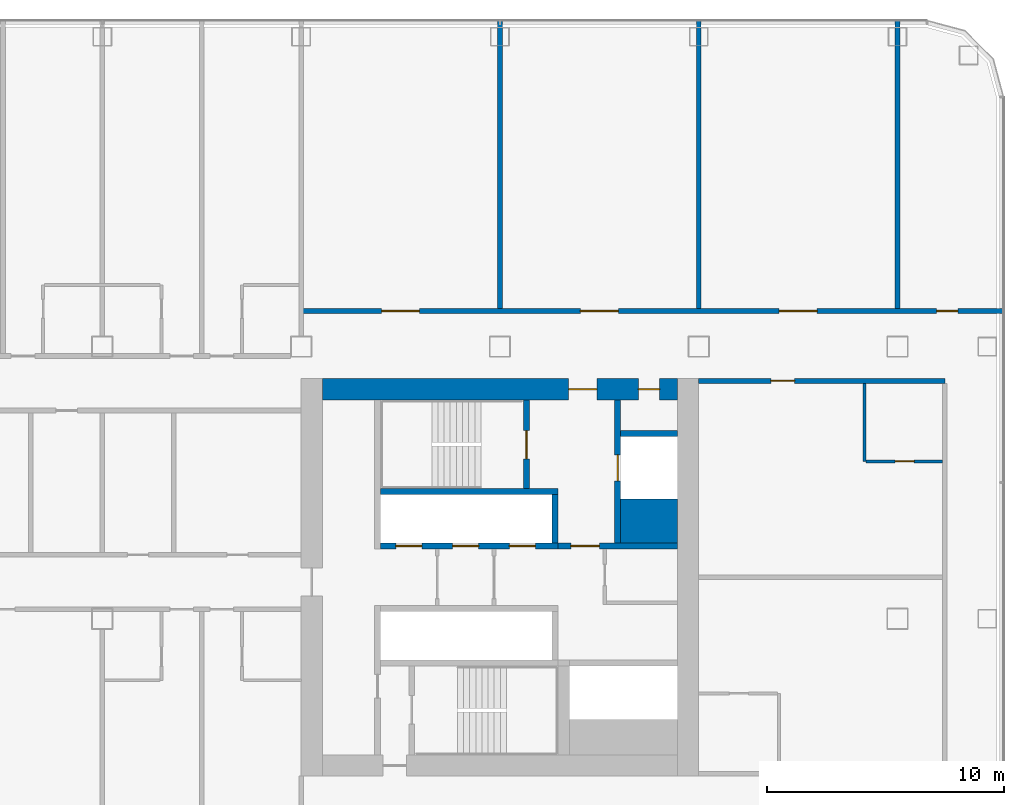
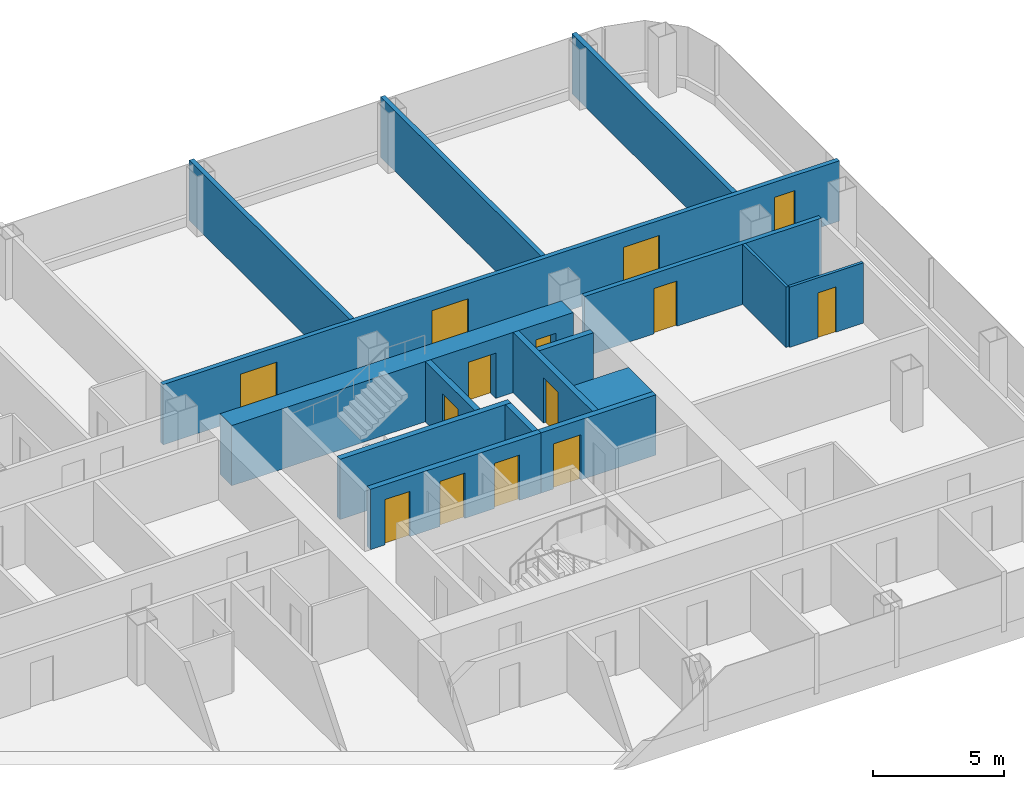
# One storey, part 20 of 29: 16 walls, 14 doors, 14 openings.
"""IFC4 building model written with IfcOpenShell, lengths in metres."""

from ifc_helpers import new_model, si_unit, direction, frame, frame_2d, origin, place, context, subcontext, project, spatial, rectangle, extrude, material, layer, layer_set, type_object, element, fill, save


model = new_model("IFC4")

# Units and contexts
model_context = context("Model", 3, precision=1e-05, world=origin(), true_north=direction((0.0, 1.0)))
body_context = subcontext(model_context, "Body", "Model", "MODEL_VIEW")
ifc_project = project(units=[si_unit("LENGTHUNIT", "METRE"), si_unit("AREAUNIT", "SQUARE_METRE"), si_unit("VOLUMEUNIT", "CUBIC_METRE"), si_unit("PLANEANGLEUNIT", "RADIAN"), si_unit("MASSUNIT", "GRAM", prefix="KILO")], contexts=[model_context])

# Site, building, storey
site_placement = place(None, origin())
site = spatial("IfcSite", under=ifc_project, at=site_placement, CompositionType="ELEMENT")
building_placement = place(site_placement, origin())
building = spatial("IfcBuilding", under=site, at=building_placement, Name="Hakoniwa Tower and Hamabe Station Hall", CompositionType="ELEMENT")
storey_placement = place(building_placement, frame((0.0, 0.0, 78.60009765625)))
storey = spatial("IfcBuildingStorey", under=building, at=storey_placement, Name="L21", CompositionType="ELEMENT", Elevation=78.60009765625)

# Wall, opening, door
ifc_material_1 = material(Name="Gypsum board partition", Category="gypsum")
ifc_layer_1 = layer(ifc_material_1, 0.125)
ifc_layer_set_1 = layer_set([ifc_layer_1], Name="Bathroom Partition 125")
wall_type_1 = type_object("IfcWallType", Name="Bathroom Partition 125", PredefinedType="PARTITIONING", material=ifc_layer_set_1)
wall_1_placement = place(storey_placement, frame((40.66259765625, 4.89990234375, 0.0), z_axis=(0.0, 0.0, 1.0), x_axis=(1.0, 0.0, 0.0)))
wall_1 = element("IfcWall", 1, at=wall_1_placement, inside=storey, type_object=wall_type_1, Name="GW-L21-017", PredefinedType="PARTITIONING", context=body_context, shape_type="SweptSolid", body=[
    extrude(rectangle(XDim=3.2373046875, YDim=0.125, at=frame_2d((1.61865234375, 0.0))), origin(), (0.0, 0.0, 1.0), 2.7998046875),
])
opening_1_placement = place(wall_1_placement, frame((1.237548828125, 0.0, 0.0)))
opening_1 = element("IfcOpeningElement", 2, at=opening_1_placement, cuts=wall_1, Name="Opening GD-G2B0-29", PredefinedType="OPENING", context=body_context, shape_type="SweptSolid", body=[
    extrude(rectangle(XDim=0.800048828125, YDim=2.10009765625, at=frame_2d((0.39990234375, 1.050048828125))), frame((0.0, 0.072509765625, 0.0), z_axis=(0.0, -1.0, 0.0), x_axis=(1.0, 0.0, 0.0)), (0.0, 0.0, 1.0), 0.14501953125),
])
ifc_material_2 = material(Name="Timber door leaf", Category="wood")
door_type_1 = type_object("IfcDoorType", Name="Bathroom Door 800", OperationType="SINGLE_SWING_LEFT", PredefinedType="DOOR", material=ifc_material_2)
door_1_placement = place(opening_1_placement, origin())
door_1 = element("IfcDoor", 3, at=door_1_placement, inside=storey, type_object=door_type_1, Name="Door GD-G2B0-29", OperationType="SINGLE_SWING_LEFT", OverallHeight=2.10009765625, OverallWidth=0.800048828125, PredefinedType="DOOR", context=body_context, shape_type="SweptSolid", body=[
    extrude(rectangle(XDim=0.800048828125, YDim=2.10009765625, at=frame_2d((0.39990234375, 1.050048828125))), frame((0.0, 0.02490234375, 0.0), z_axis=(0.0, -1.0, 0.0), x_axis=(1.0, 0.0, 0.0)), (0.0, 0.0, 1.0), 0.050048828125),
])
fill(opening_1, door_1)

# Wall
wall_2_placement = place(storey_placement, frame((40.60009765625, 4.89990234375, 0.0), z_axis=(0.0, 0.0, 1.0), x_axis=(0.0, 1.0, 0.0)))
element("IfcWall", 4, at=wall_2_placement, inside=storey, type_object=wall_type_1, Name="GW-L21-087", PredefinedType="PARTITIONING", context=body_context, shape_type="SweptSolid", body=[
    extrude(rectangle(XDim=3.300048828125, YDim=0.125, at=frame_2d((1.64990234375, 0.0))), origin(), (0.0, 0.0, 1.0), 2.7998046875),
])

# Wall, openings, doors
ifc_material_3 = material(Name="Concrete C72", Category="concrete")
ifc_layer_2 = layer(ifc_material_3, 0.89990234375)
ifc_layer_set_2 = layer_set([ifc_layer_2], Name="CORE WALL 900 C72")
wall_type_2 = type_object("IfcWallType", Name="CORE WALL 900 C72", PredefinedType="SHEAR", material=ifc_layer_set_2)
wall_3_placement = place(storey_placement, frame((17.699951171875, 7.949951171875, 0.0), z_axis=(0.0, 0.0, 1.0), x_axis=(1.0, 0.0, 0.0)))
wall_3 = element("IfcWall", 5, at=wall_3_placement, inside=storey, type_object=wall_type_2, Name="Core wall NORTH east", PredefinedType="SHEAR", context=body_context, shape_type="SweptSolid", body=[
    extrude(rectangle(XDim=15.0, YDim=0.89990234375, at=frame_2d((7.5, 0.0))), origin(), (0.0, 0.0, 1.0), 2.7998046875),
])
opening_2_placement = place(wall_3_placement, frame((10.39990234375, 0.0, 0.0)))
opening_2 = element("IfcOpeningElement", 6, at=opening_2_placement, cuts=wall_3, Name="Opening CD-E-FN1-12", PredefinedType="OPENING", context=body_context, shape_type="SweptSolid", body=[
    extrude(rectangle(XDim=1.199951171875, YDim=2.10009765625, at=frame_2d((0.60009765625, 1.050048828125))), frame((0.0, 0.4599609375, 0.0), z_axis=(0.0, -1.0, 0.0), x_axis=(1.0, 0.0, 0.0)), (0.0, 0.0, 1.0), 0.919921875),
])
opening_3_placement = place(wall_3_placement, frame((13.35009765625, 0.0, 0.0)))
opening_3 = element("IfcOpeningElement", 7, at=opening_3_placement, cuts=wall_3, Name="Opening CD-E-FN2-9", PredefinedType="OPENING", context=body_context, shape_type="SweptSolid", body=[
    extrude(rectangle(XDim=0.89990234375, YDim=2.10009765625, at=frame_2d((0.449951171875, 1.050048828125))), frame((0.0, 0.4599609375, 0.0), z_axis=(0.0, -1.0, 0.0), x_axis=(1.0, 0.0, 0.0)), (0.0, 0.0, 1.0), 0.919921875),
])
ifc_material_4 = material(Name="Steel fire door", Category="steel")
door_type_2 = type_object("IfcDoorType", Name="CORE DOOR 1200 FD60", OperationType="DOUBLE_DOOR_SINGLE_SWING", PredefinedType="DOOR", material=ifc_material_4)
door_2_placement = place(opening_2_placement, origin())
door_2 = element("IfcDoor", 8, at=door_2_placement, inside=storey, type_object=door_type_2, Name="Stair vestibule door to the fire-fighting lobby", OperationType="DOUBLE_DOOR_SINGLE_SWING", OverallHeight=2.10009765625, OverallWidth=1.199951171875, PredefinedType="DOOR", context=body_context, shape_type="SweptSolid", body=[
    extrude(rectangle(XDim=1.199951171875, YDim=2.10009765625, at=frame_2d((0.60009765625, 1.050048828125))), frame((0.0, 0.02490234375, 0.0), z_axis=(0.0, -1.0, 0.0), x_axis=(1.0, 0.0, 0.0)), (0.0, 0.0, 1.0), 0.050048828125),
])
fill(opening_2, door_2)
ifc_material_5 = material(Name="Steel fire door", Category="steel")
door_type_3 = type_object("IfcDoorType", Name="CORE DOOR 900 FD30", OperationType="NOTDEFINED", PredefinedType="DOOR", material=ifc_material_5)
door_3_placement = place(opening_3_placement, origin())
door_3 = element("IfcDoor", 9, at=door_3_placement, inside=storey, type_object=door_type_3, Name="Riser access door", OperationType="SINGLE_SWING_RIGHT", OverallHeight=2.10009765625, OverallWidth=0.89990234375, PredefinedType="DOOR", context=body_context, shape_type="SweptSolid", body=[
    extrude(rectangle(XDim=0.89990234375, YDim=2.10009765625, at=frame_2d((0.449951171875, 1.050048828125))), frame((0.0, 0.02490234375, 0.0), z_axis=(0.0, -1.0, 0.0), x_axis=(1.0, 0.0, 0.0)), (0.0, 0.0, 1.0), 0.050048828125),
])
fill(opening_3, door_3)

# Wall
ifc_material_6 = material(Name="Concrete C72", Category="concrete")
ifc_layer_3 = layer(ifc_material_6, 1.85009765625)
ifc_layer_set_3 = layer_set([ifc_layer_3], Name="CORE WEB WALL 1850 C72")
wall_type_3 = type_object("IfcWallType", Name="CORE WEB WALL 1850 C72", PredefinedType="SHEAR", material=ifc_layer_set_3)
wall_4_placement = place(storey_placement, frame((30.300048828125, 2.375, 0.0), z_axis=(0.0, 0.0, 1.0), x_axis=(1.0, 0.0, 0.0)))
element("IfcWall", 10, at=wall_4_placement, inside=storey, type_object=wall_type_3, Name="Core wall CA east", PredefinedType="SHEAR", context=body_context, shape_type="SweptSolid", body=[
    extrude(rectangle(XDim=2.39990234375, YDim=1.85009765625, at=frame_2d((1.199951171875, 0.0))), origin(), (0.0, 0.0, 1.0), 2.7998046875),
])

# Wall, openings, doors
ifc_material_7 = material(Name="Concrete C72", Category="concrete")
ifc_layer_4 = layer(ifc_material_7, 0.25)
ifc_layer_set_4 = layer_set([ifc_layer_4], Name="CORE WEB WALL 250 C72")
wall_type_4 = type_object("IfcWallType", Name="CORE WEB WALL 250 C72", PredefinedType="SHEAR", material=ifc_layer_set_4)
wall_5_placement = place(storey_placement, frame((20.14990234375, 1.324951171875, 0.0), z_axis=(0.0, 0.0, 1.0), x_axis=(1.0, 0.0, 0.0)))
wall_5 = element("IfcWall", 11, at=wall_5_placement, inside=storey, type_object=wall_type_4, Name="Core wall NF east", PredefinedType="SHEAR", context=body_context, shape_type="SweptSolid", body=[
    extrude(rectangle(XDim=7.5, YDim=0.25, at=frame_2d((3.75, 0.0))), origin(), (0.0, 0.0, 1.0), 2.7998046875),
])
opening_4_placement = place(wall_5_placement, frame((0.64990234375, 0.0, 0.0)))
opening_4 = element("IfcOpeningElement", 12, at=opening_4_placement, cuts=wall_5, Name="Opening LD-LR4", PredefinedType="OPENING", context=body_context, shape_type="SweptSolid", body=[
    extrude(rectangle(XDim=1.10009765625, YDim=2.10009765625, at=frame_2d((0.550048828125, 1.050048828125))), frame((0.0, 0.135009765625, 0.0), z_axis=(0.0, -1.0, 0.0), x_axis=(1.0, 0.0, 0.0)), (0.0, 0.0, 1.0), 0.27001953125),
])
opening_5_placement = place(wall_5_placement, frame((3.050048828125, 0.0, 0.0)))
opening_5 = element("IfcOpeningElement", 13, at=opening_5_placement, cuts=wall_5, Name="Opening LD-LR5", PredefinedType="OPENING", context=body_context, shape_type="SweptSolid", body=[
    extrude(rectangle(XDim=1.10009765625, YDim=2.10009765625, at=frame_2d((0.550048828125, 1.050048828125))), frame((0.0, 0.135009765625, 0.0), z_axis=(0.0, -1.0, 0.0), x_axis=(1.0, 0.0, 0.0)), (0.0, 0.0, 1.0), 0.27001953125),
])
opening_6_placement = place(wall_5_placement, frame((5.449951171875, 0.0, 0.0)))
opening_6 = element("IfcOpeningElement", 14, at=opening_6_placement, cuts=wall_5, Name="Opening LD-LR6", PredefinedType="OPENING", context=body_context, shape_type="SweptSolid", body=[
    extrude(rectangle(XDim=1.10009765625, YDim=2.10009765625, at=frame_2d((0.550048828125, 1.050048828125))), frame((0.0, 0.135009765625, 0.0), z_axis=(0.0, -1.0, 0.0), x_axis=(1.0, 0.0, 0.0)), (0.0, 0.0, 1.0), 0.27001953125),
])
ifc_material_8 = material(Name="Stainless steel SUS304", Category="steel")
door_type_4 = type_object("IfcDoorType", Name="LIFT LANDING DOOR 1100 FD60", OperationType="DOUBLE_DOOR_SLIDING", PredefinedType="DOOR", material=ifc_material_8)
door_4_placement = place(opening_4_placement, origin())
door_4 = element("IfcDoor", 15, at=door_4_placement, inside=storey, type_object=door_type_4, Name="Lift landing door LR4 L21", OperationType="DOUBLE_DOOR_SLIDING", OverallHeight=2.10009765625, OverallWidth=1.10009765625, PredefinedType="DOOR", context=body_context, shape_type="SweptSolid", body=[
    extrude(rectangle(XDim=1.10009765625, YDim=2.10009765625, at=frame_2d((0.550048828125, 1.050048828125))), frame((0.0, 0.02490234375, 0.0), z_axis=(0.0, -1.0, 0.0), x_axis=(1.0, 0.0, 0.0)), (0.0, 0.0, 1.0), 0.050048828125),
])
fill(opening_4, door_4)
door_5_placement = place(opening_5_placement, origin())
door_5 = element("IfcDoor", 16, at=door_5_placement, inside=storey, type_object=door_type_4, Name="Lift landing door LR5 L21", OperationType="DOUBLE_DOOR_SLIDING", OverallHeight=2.10009765625, OverallWidth=1.10009765625, PredefinedType="DOOR", context=body_context, shape_type="SweptSolid", body=[
    extrude(rectangle(XDim=1.10009765625, YDim=2.10009765625, at=frame_2d((0.550048828125, 1.050048828125))), frame((0.0, 0.02490234375, 0.0), z_axis=(0.0, -1.0, 0.0), x_axis=(1.0, 0.0, 0.0)), (0.0, 0.0, 1.0), 0.050048828125),
])
fill(opening_5, door_5)
door_6_placement = place(opening_6_placement, origin())
door_6 = element("IfcDoor", 17, at=door_6_placement, inside=storey, type_object=door_type_4, Name="Lift landing door LR6 L21", OperationType="DOUBLE_DOOR_SLIDING", OverallHeight=2.10009765625, OverallWidth=1.10009765625, PredefinedType="DOOR", context=body_context, shape_type="SweptSolid", body=[
    extrude(rectangle(XDim=1.10009765625, YDim=2.10009765625, at=frame_2d((0.550048828125, 1.050048828125))), frame((0.0, 0.02490234375, 0.0), z_axis=(0.0, -1.0, 0.0), x_axis=(1.0, 0.0, 0.0)), (0.0, 0.0, 1.0), 0.050048828125),
])
fill(opening_6, door_6)

# Walls
wall_6_placement = place(storey_placement, frame((27.52490234375, 1.449951171875, 0.0), z_axis=(0.0, 0.0, 1.0), x_axis=(0.0, 1.0, 0.0)))
element("IfcWall", 18, at=wall_6_placement, inside=storey, type_object=wall_type_4, Name="Core wall NE east", PredefinedType="SHEAR", context=body_context, shape_type="SweptSolid", body=[
    extrude(rectangle(XDim=2.050048828125, YDim=0.25, at=frame_2d((1.02490234375, 0.0))), origin(), (0.0, 0.0, 1.0), 2.7998046875),
])
wall_7_placement = place(storey_placement, frame((20.14990234375, 3.625, 0.0), z_axis=(0.0, 0.0, 1.0), x_axis=(1.0, 0.0, 0.0)))
element("IfcWall", 19, at=wall_7_placement, inside=storey, type_object=wall_type_4, Name="Core wall NR east", PredefinedType="SHEAR", context=body_context, shape_type="SweptSolid", body=[
    extrude(rectangle(XDim=7.5, YDim=0.25, at=frame_2d((3.75, 0.0))), origin(), (0.0, 0.0, 1.0), 2.7998046875),
])

# Wall, opening, door
wall_8_placement = place(storey_placement, frame((26.324951171875, 3.75, 0.0), z_axis=(0.0, 0.0, 1.0), x_axis=(0.0, 1.0, 0.0)))
wall_8 = element("IfcWall", 20, at=wall_8_placement, inside=storey, type_object=wall_type_4, Name="Core wall NSE east", PredefinedType="SHEAR", context=body_context, shape_type="SweptSolid", body=[
    extrude(rectangle(XDim=3.75, YDim=0.25, at=frame_2d((1.875, 0.0))), origin(), (0.0, 0.0, 1.0), 2.7998046875),
])
opening_7_placement = place(wall_8_placement, frame((1.25, 0.0, 0.0)))
opening_7 = element("IfcOpeningElement", 21, at=opening_7_placement, cuts=wall_8, Name="Opening CD-E-SN-12", PredefinedType="OPENING", context=body_context, shape_type="SweptSolid", body=[
    extrude(rectangle(XDim=1.199951171875, YDim=2.10009765625, at=frame_2d((0.60009765625, 1.050048828125))), frame((0.0, 0.135009765625, 0.0), z_axis=(0.0, -1.0, 0.0), x_axis=(1.0, 0.0, 0.0)), (0.0, 0.0, 1.0), 0.27001953125),
])
door_7_placement = place(opening_7_placement, origin())
door_7 = element("IfcDoor", 22, at=door_7_placement, inside=storey, type_object=door_type_2, Name="Escape stair door", OperationType="DOUBLE_DOOR_SINGLE_SWING", OverallHeight=2.10009765625, OverallWidth=1.199951171875, PredefinedType="DOOR", context=body_context, shape_type="SweptSolid", body=[
    extrude(rectangle(XDim=1.199951171875, YDim=2.10009765625, at=frame_2d((0.60009765625, 1.050048828125))), frame((0.0, 0.02490234375, 0.0), z_axis=(0.0, -1.0, 0.0), x_axis=(1.0, 0.0, 0.0)), (0.0, 0.0, 1.0), 0.050048828125),
])
fill(opening_7, door_7)

wall_9_placement = place(storey_placement, frame((27.64990234375, 1.324951171875, 0.0), z_axis=(0.0, 0.0, 1.0), x_axis=(1.0, 0.0, 0.0)))
wall_9 = element("IfcWall", 23, at=wall_9_placement, inside=storey, type_object=wall_type_4, Name="Core wall ELN east", PredefinedType="SHEAR", context=body_context, shape_type="SweptSolid", body=[
    extrude(rectangle(XDim=5.050048828125, YDim=0.25, at=frame_2d((2.52490234375, 0.0))), origin(), (0.0, 0.0, 1.0), 2.7998046875),
])
opening_8_placement = place(wall_9_placement, frame((0.550048828125, 0.0, 0.0)))
opening_8 = element("IfcOpeningElement", 24, at=opening_8_placement, cuts=wall_9, Name="Opening CD-E-FL-12", PredefinedType="OPENING", context=body_context, shape_type="SweptSolid", body=[
    extrude(rectangle(XDim=1.199951171875, YDim=2.10009765625, at=frame_2d((0.60009765625, 1.050048828125))), frame((0.0, 0.135009765625, 0.0), z_axis=(0.0, -1.0, 0.0), x_axis=(1.0, 0.0, 0.0)), (0.0, 0.0, 1.0), 0.27001953125),
])
door_8_placement = place(opening_8_placement, origin())
door_8 = element("IfcDoor", 25, at=door_8_placement, inside=storey, type_object=door_type_2, Name="Stair vestibule door to the fire-fighting lobby", OperationType="DOUBLE_DOOR_SINGLE_SWING", OverallHeight=2.10009765625, OverallWidth=1.199951171875, PredefinedType="DOOR", context=body_context, shape_type="SweptSolid", body=[
    extrude(rectangle(XDim=1.199951171875, YDim=2.10009765625, at=frame_2d((0.60009765625, 1.050048828125))), frame((0.0, 0.02490234375, 0.0), z_axis=(0.0, -1.0, 0.0), x_axis=(1.0, 0.0, 0.0)), (0.0, 0.0, 1.0), 0.050048828125),
])
fill(opening_8, door_8)

wall_10_placement = place(storey_placement, frame((30.175048828125, 1.449951171875, 0.0), z_axis=(0.0, 0.0, 1.0), x_axis=(0.0, 1.0, 0.0)))
wall_10 = element("IfcWall", 26, at=wall_10_placement, inside=storey, type_object=wall_type_4, Name="Core wall FFF east", PredefinedType="SHEAR", context=body_context, shape_type="SweptSolid", body=[
    extrude(rectangle(XDim=6.050048828125, YDim=0.25, at=frame_2d((3.02490234375, 0.0))), origin(), (0.0, 0.0, 1.0), 2.7998046875),
])
opening_9_placement = place(wall_10_placement, frame((2.625, 0.0, 0.0)))
opening_9 = element("IfcOpeningElement", 27, at=opening_9_placement, cuts=wall_10, Name="Opening LD-FF2", PredefinedType="OPENING", context=body_context, shape_type="SweptSolid", body=[
    extrude(rectangle(XDim=1.10009765625, YDim=2.10009765625, at=frame_2d((0.550048828125, 1.050048828125))), frame((0.0, 0.135009765625, 0.0), z_axis=(0.0, -1.0, 0.0), x_axis=(1.0, 0.0, 0.0)), (0.0, 0.0, 1.0), 0.27001953125),
])
door_9_placement = place(opening_9_placement, origin())
door_9 = element("IfcDoor", 28, at=door_9_placement, inside=storey, type_object=door_type_4, Name="Lift landing door FF2 L21", OperationType="DOUBLE_DOOR_SLIDING", OverallHeight=2.10009765625, OverallWidth=1.10009765625, PredefinedType="DOOR", context=body_context, shape_type="SweptSolid", body=[
    extrude(rectangle(XDim=1.10009765625, YDim=2.10009765625, at=frame_2d((0.550048828125, 1.050048828125))), frame((0.0, 0.02490234375, 0.0), z_axis=(0.0, -1.0, 0.0), x_axis=(1.0, 0.0, 0.0)), (0.0, 0.0, 1.0), 0.050048828125),
])
fill(opening_9, door_9)

# Wall
wall_11_placement = place(storey_placement, frame((30.300048828125, 6.074951171875, 0.0), z_axis=(0.0, 0.0, 1.0), x_axis=(1.0, 0.0, 0.0)))
element("IfcWall", 29, at=wall_11_placement, inside=storey, type_object=wall_type_4, Name="Core wall C2 east", PredefinedType="SHEAR", context=body_context, shape_type="SweptSolid", body=[
    extrude(rectangle(XDim=2.39990234375, YDim=0.25, at=frame_2d((1.199951171875, 0.0))), origin(), (0.0, 0.0, 1.0), 2.7998046875),
])

# Wall, opening, door
ifc_material_9 = material(Name="Fire-rated gypsum board partition", Category="gypsum")
ifc_layer_5 = layer(ifc_material_9, 0.199951171875)
ifc_layer_set_5 = layer_set([ifc_layer_5], Name="Corridor Wall 200")
wall_type_5 = type_object("IfcWallType", Name="Corridor Wall 200", PredefinedType="PARTITIONING", material=ifc_layer_set_5)
wall_12_placement = place(storey_placement, frame((33.60009765625, 8.300048828125, 0.0), z_axis=(0.0, 0.0, 1.0), x_axis=(1.0, 0.0, 0.0)))
wall_12 = element("IfcWall", 30, at=wall_12_placement, inside=storey, type_object=wall_type_5, Name="GW-L21-020", PredefinedType="PARTITIONING", context=body_context, shape_type="SweptSolid", body=[
    extrude(rectangle(XDim=10.39990234375, YDim=0.199951171875, at=frame_2d((5.199951171875, 0.0))), origin(), (0.0, 0.0, 1.0), 2.7998046875),
])
opening_10_placement = place(wall_12_placement, frame((3.050048828125, 0.0, 0.0)))
opening_10 = element("IfcOpeningElement", 31, at=opening_10_placement, cuts=wall_12, Name="Opening GD-G2B0-35", PredefinedType="OPENING", context=body_context, shape_type="SweptSolid", body=[
    extrude(rectangle(XDim=1.0, YDim=2.10009765625, at=frame_2d((0.5, 1.050048828125))), frame((0.0, 0.10986328125, 0.0), z_axis=(0.0, -1.0, 0.0), x_axis=(1.0, 0.0, 0.0)), (0.0, 0.0, 1.0), 0.219970703125),
])
ifc_material_10 = material(Name="Timber door leaf", Category="wood")
door_type_5 = type_object("IfcDoorType", Name="Guest Entrance Door 1000", OperationType="SINGLE_SWING_LEFT", PredefinedType="DOOR", material=ifc_material_10)
door_10_placement = place(opening_10_placement, origin())
door_10 = element("IfcDoor", 32, at=door_10_placement, inside=storey, type_object=door_type_5, Name="Door GD-G2B0-35", OperationType="SINGLE_SWING_LEFT", OverallHeight=2.10009765625, OverallWidth=1.0, PredefinedType="DOOR", context=body_context, shape_type="SweptSolid", body=[
    extrude(rectangle(XDim=1.0, YDim=2.10009765625, at=frame_2d((0.5, 1.050048828125))), frame((0.0, 0.02490234375, 0.0), z_axis=(0.0, -1.0, 0.0), x_axis=(1.0, 0.0, 0.0)), (0.0, 0.0, 1.0), 0.050048828125),
])
fill(opening_10, door_10)

# Wall, openings, doors
wall_13_placement = place(storey_placement, frame((16.800048828125, 11.25, 0.0), z_axis=(0.0, 0.0, 1.0), x_axis=(1.0, 0.0, 0.0)))
wall_13 = element("IfcWall", 33, at=wall_13_placement, inside=storey, type_object=wall_type_5, Name="GW-L21-023", PredefinedType="PARTITIONING", context=body_context, shape_type="SweptSolid", body=[
    extrude(rectangle(XDim=29.699951171875, YDim=0.199951171875, at=frame_2d((14.85009765625, 0.0))), origin(), (0.0, 0.0, 1.0), 2.7998046875),
])
opening_11_placement = place(wall_13_placement, frame((3.39990234375, 0.0, 0.0)))
opening_11 = element("IfcOpeningElement", 34, at=opening_11_placement, cuts=wall_13, Name="Opening GD-G2B0-49", PredefinedType="OPENING", context=body_context, shape_type="SweptSolid", body=[
    extrude(rectangle(XDim=1.60009765625, YDim=2.10009765625, at=frame_2d((0.800048828125, 1.050048828125))), frame((0.0, 0.10986328125, 0.0), z_axis=(0.0, -1.0, 0.0), x_axis=(1.0, 0.0, 0.0)), (0.0, 0.0, 1.0), 0.219970703125),
])
opening_12_placement = place(wall_13_placement, frame((11.800048828125, 0.0, 0.0)))
opening_12 = element("IfcOpeningElement", 35, at=opening_12_placement, cuts=wall_13, Name="Opening GD-G2B0-50", PredefinedType="OPENING", context=body_context, shape_type="SweptSolid", body=[
    extrude(rectangle(XDim=1.60009765625, YDim=2.10009765625, at=frame_2d((0.800048828125, 1.050048828125))), frame((0.0, 0.10986328125, 0.0), z_axis=(0.0, -1.0, 0.0), x_axis=(1.0, 0.0, 0.0)), (0.0, 0.0, 1.0), 0.219970703125),
])
opening_13_placement = place(wall_13_placement, frame((20.199951171875, 0.0, 0.0)))
opening_13 = element("IfcOpeningElement", 36, at=opening_13_placement, cuts=wall_13, Name="Opening GD-G2B0-51", PredefinedType="OPENING", context=body_context, shape_type="SweptSolid", body=[
    extrude(rectangle(XDim=1.60009765625, YDim=2.10009765625, at=frame_2d((0.800048828125, 1.050048828125))), frame((0.0, 0.10986328125, 0.0), z_axis=(0.0, -1.0, 0.0), x_axis=(1.0, 0.0, 0.0)), (0.0, 0.0, 1.0), 0.219970703125),
])
opening_14_placement = place(wall_13_placement, frame((26.85009765625, 0.0, 0.0)))
opening_14 = element("IfcOpeningElement", 37, at=opening_14_placement, cuts=wall_13, Name="Opening GD-G2B0-52", PredefinedType="OPENING", context=body_context, shape_type="SweptSolid", body=[
    extrude(rectangle(XDim=0.89990234375, YDim=2.10009765625, at=frame_2d((0.449951171875, 1.050048828125))), frame((0.0, 0.10986328125, 0.0), z_axis=(0.0, -1.0, 0.0), x_axis=(1.0, 0.0, 0.0)), (0.0, 0.0, 1.0), 0.219970703125),
])
ifc_material_11 = material(Name="Timber door leaf", Category="wood")
door_type_6 = type_object("IfcDoorType", Name="Double Door 1600", OperationType="DOUBLE_DOOR_SINGLE_SWING", PredefinedType="DOOR", material=ifc_material_11)
door_11_placement = place(opening_11_placement, origin())
door_11 = element("IfcDoor", 38, at=door_11_placement, inside=storey, type_object=door_type_6, Name="Door GD-G2B0-49", OperationType="DOUBLE_DOOR_SINGLE_SWING", OverallHeight=2.10009765625, OverallWidth=1.60009765625, PredefinedType="DOOR", context=body_context, shape_type="SweptSolid", body=[
    extrude(rectangle(XDim=1.60009765625, YDim=2.10009765625, at=frame_2d((0.800048828125, 1.050048828125))), frame((0.0, 0.02490234375, 0.0), z_axis=(0.0, -1.0, 0.0), x_axis=(1.0, 0.0, 0.0)), (0.0, 0.0, 1.0), 0.050048828125),
])
fill(opening_11, door_11)
door_12_placement = place(opening_12_placement, origin())
door_12 = element("IfcDoor", 39, at=door_12_placement, inside=storey, type_object=door_type_6, Name="Door GD-G2B0-50", OperationType="DOUBLE_DOOR_SINGLE_SWING", OverallHeight=2.10009765625, OverallWidth=1.60009765625, PredefinedType="DOOR", context=body_context, shape_type="SweptSolid", body=[
    extrude(rectangle(XDim=1.60009765625, YDim=2.10009765625, at=frame_2d((0.800048828125, 1.050048828125))), frame((0.0, 0.02490234375, 0.0), z_axis=(0.0, -1.0, 0.0), x_axis=(1.0, 0.0, 0.0)), (0.0, 0.0, 1.0), 0.050048828125),
])
fill(opening_12, door_12)
door_13_placement = place(opening_13_placement, origin())
door_13 = element("IfcDoor", 40, at=door_13_placement, inside=storey, type_object=door_type_6, Name="Door GD-G2B0-51", OperationType="DOUBLE_DOOR_SINGLE_SWING", OverallHeight=2.10009765625, OverallWidth=1.60009765625, PredefinedType="DOOR", context=body_context, shape_type="SweptSolid", body=[
    extrude(rectangle(XDim=1.60009765625, YDim=2.10009765625, at=frame_2d((0.800048828125, 1.050048828125))), frame((0.0, 0.02490234375, 0.0), z_axis=(0.0, -1.0, 0.0), x_axis=(1.0, 0.0, 0.0)), (0.0, 0.0, 1.0), 0.050048828125),
])
fill(opening_13, door_13)
ifc_material_12 = material(Name="Timber door leaf", Category="wood")
door_type_7 = type_object("IfcDoorType", Name="Service Door 900", OperationType="SINGLE_SWING_LEFT", PredefinedType="DOOR", material=ifc_material_12)
door_14_placement = place(opening_14_placement, origin())
door_14 = element("IfcDoor", 41, at=door_14_placement, inside=storey, type_object=door_type_7, Name="Door GD-G2B0-52", OperationType="SINGLE_SWING_RIGHT", OverallHeight=2.10009765625, OverallWidth=0.89990234375, PredefinedType="DOOR", context=body_context, shape_type="SweptSolid", body=[
    extrude(rectangle(XDim=0.89990234375, YDim=2.10009765625, at=frame_2d((0.449951171875, 1.050048828125))), frame((0.0, 0.02490234375, 0.0), z_axis=(0.0, -1.0, 0.0), x_axis=(1.0, 0.0, 0.0)), (0.0, 0.0, 1.0), 0.050048828125),
])
fill(opening_14, door_14)

# Walls
ifc_material_13 = material(Name="Fire-rated gypsum board partition", Category="gypsum")
ifc_layer_6 = layer(ifc_material_13, 0.199951171875)
ifc_layer_set_6 = layer_set([ifc_layer_6], Name="Party Wall 200")
wall_type_6 = type_object("IfcWallType", Name="Party Wall 200", PredefinedType="PARTITIONING", material=ifc_layer_set_6)
for number, where, z_axis, x_axis, name in (
    (42, (25.199951171875, 11.35009765625, 0.0), (0.0, 0.0, 1.0), (0.0, 1.0, 0.0), "GW-L21-081"),
    (43, (33.60009765625, 11.35009765625, 0.0), (0.0, 0.0, 1.0), (0.0, 1.0, 0.0), "GW-L21-084"),
    (44, (42.0, 11.35009765625, 0.0), (0.0, 0.0, 1.0), (0.0, 1.0, 0.0), "GW-L21-089"),
):
    element("IfcWall", number, at=place(storey_placement, frame(where, z_axis=z_axis, x_axis=x_axis)), inside=storey, type_object=wall_type_6, Name=name, PredefinedType="PARTITIONING", context=body_context, shape_type="SweptSolid", body=[
        extrude(rectangle(XDim=12.199951171875, YDim=0.199951171875, at=frame_2d((6.10009765625, 0.0))), origin(), (0.0, 0.0, 1.0), 2.7998046875),
    ])

save(model, "model.ifc")
